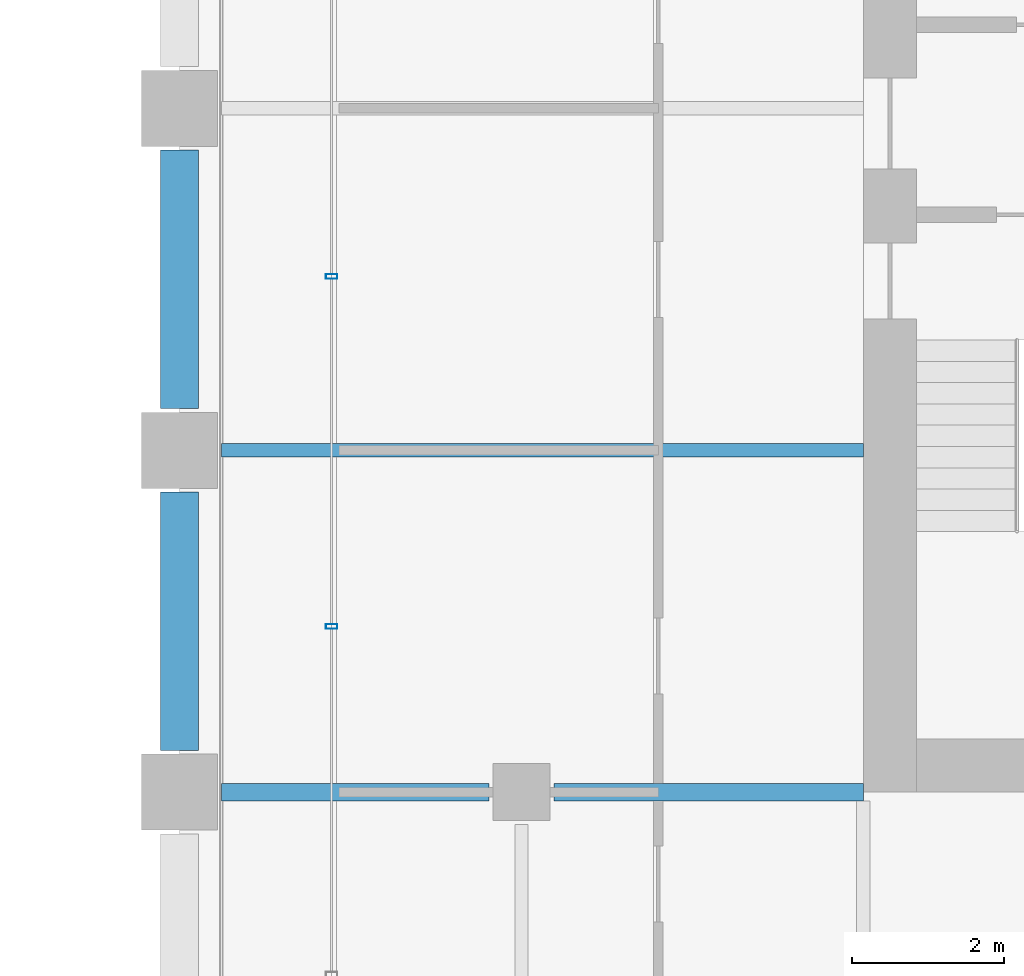
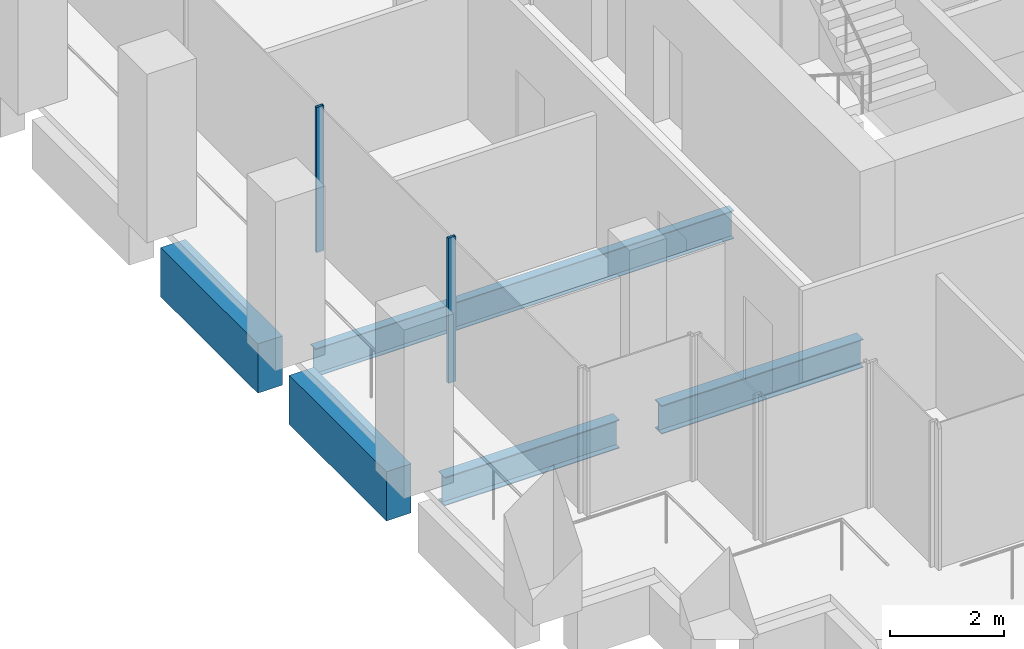
# One storey, part 32 of 52: 5 beams, 2 members, 1 element without a shape of its own.
"""IFC4 building model written with IfcOpenShell, lengths in metres."""

import ifcopenshell
import ifcopenshell.guid

model = None  # the IFC model being written
_history = None  # IfcOwnerHistory: only IFC2X3 demands one
_inside = {}  # id of a spatial element -> (the spatial element, [elements in it])
_under = {}  # id of a project, library or spatial element -> (it, [spatial elements below it])
_declared = {}  # id of a project -> (the project, [libraries it declares])
_typed = {}  # id of a type object -> (the type object, [elements of that type])
_made_of = {}  # id of a material, layer set ... -> (it, [elements and type objects made of it])


def new_model(schema):
    """Start an empty IFC model of exactly this schema.

    Asked for "IFC4X3", IfcOpenShell would pick the latest addendum, in which some entities
    have other attributes; the version numbers below select the first issue.
    IFC2X3 requires an IfcOwnerHistory on every rooted entity: one is made here for all.
    """
    global model, _history
    if schema == "IFC4X3":
        model = ifcopenshell.file(schema_version=(4, 3, 0, 0))
    else:
        model = ifcopenshell.file(schema=schema)
    _inside.clear()
    _under.clear()
    _declared.clear()
    _typed.clear()
    _made_of.clear()
    _history = None
    if model.schema == "IFC2X3":
        org = make("IfcOrganization", Name="unknown")
        user = make(
            "IfcPersonAndOrganization",
            ThePerson=make("IfcPerson", FamilyName="unknown"),
            TheOrganization=org,
        )
        app = make(
            "IfcApplication",
            ApplicationDeveloper=org,
            Version="unknown",
            ApplicationFullName="unknown",
            ApplicationIdentifier="unknown",
        )
        _history = make(
            "IfcOwnerHistory",
            OwningUser=user,
            OwningApplication=app,
            ChangeAction="ADDED",
            CreationDate=0,
        )
    return model


def make(cls, **values):
    """One entity of the class cls with the attributes given. An attribute that is None is left unset."""
    return model.create_entity(
        cls, **{name: value for name, value in values.items() if value is not None}
    )


def rooted(cls, **values):
    """An entity with a GlobalId (a new one), such as an element, a storey or a relation."""
    return make(cls, GlobalId=ifcopenshell.guid.new(), OwnerHistory=_history, **values)


def si_unit(unit_type, name, prefix=None):
    """IfcSIUnit, for example si_unit("LENGTHUNIT", "METRE", prefix="MILLI")."""
    return make("IfcSIUnit", UnitType=unit_type, Prefix=prefix, Name=name)


def assignment(units):
    """IfcUnitAssignment: the units of a project."""
    return None if units is None else make("IfcUnitAssignment", Units=units)


def point(xyz):
    """IfcCartesianPoint."""
    return None if xyz is None else make("IfcCartesianPoint", Coordinates=xyz)


def direction(xyz):
    """IfcDirection."""
    return None if xyz is None else make("IfcDirection", DirectionRatios=xyz)


def frame(location, z_axis=None, x_axis=None):
    """IfcAxis2Placement3D, a coordinate frame: its origin and axes. An axis left out is left unset."""
    return make(
        "IfcAxis2Placement3D",
        Location=point(location),
        Axis=direction(z_axis),
        RefDirection=direction(x_axis),
    )


def frame_2d(location, x_axis=None):
    """IfcAxis2Placement2D, a coordinate frame in the plane: its origin and x axis."""
    return make(
        "IfcAxis2Placement2D", Location=point(location), RefDirection=direction(x_axis)
    )


def origin():
    """The frame at (0, 0, 0) with its axes left unset."""
    return frame((0.0, 0.0, 0.0))


def origin_2d():
    """The frame at (0, 0) in the plane with its x axis left unset."""
    return frame_2d((0.0, 0.0))


def place(relative_to, where):
    """IfcLocalPlacement: puts the frame where relative to a parent placement (None: the world)."""
    return make(
        "IfcLocalPlacement", PlacementRelTo=relative_to, RelativePlacement=where
    )


def context(
    kind, dimensions, precision=None, world=None, true_north=None, identifier=None
):
    """IfcGeometricRepresentationContext, for example the 3D "Model" context."""
    return make(
        "IfcGeometricRepresentationContext",
        ContextIdentifier=identifier,
        ContextType=kind,
        CoordinateSpaceDimension=dimensions,
        Precision=precision,
        WorldCoordinateSystem=world,
        TrueNorth=true_north,
    )


def subcontext(parent, identifier, kind, view, scale=None):
    """IfcGeometricRepresentationSubContext, for example "Body" below "Model"."""
    return make(
        "IfcGeometricRepresentationSubContext",
        ContextIdentifier=identifier,
        ContextType=kind,
        ParentContext=parent,
        TargetScale=scale,
        TargetView=view,
    )


def project(units=None, contexts=None):
    """IfcProject with its units and contexts."""
    return rooted(
        "IfcProject",
        Name="project",
        RepresentationContexts=contexts,
        UnitsInContext=assignment(units),
    )


def spatial(cls, under=None, at=None, **own):
    """A site, building, storey or space (cls), placed at a placement, below another one or the project."""
    s = rooted(cls, ObjectPlacement=at, **own)
    if under is not None:
        _under.setdefault(under.id(), (under, []))[1].append(s)
    return s


def profile(cls, at=None, kind="AREA", **sizes):
    """A parametric profile (cls). Its sizes go by their IFC names, for example OverallWidth=200.0."""
    return make(cls, ProfileType=kind, Position=at, **sizes)


def rectangle(**sizes):
    """IfcRectangleProfileDef."""
    return profile("IfcRectangleProfileDef", **sizes)


def hollow_rectangle(**sizes):
    """IfcRectangleHollowProfileDef."""
    return profile("IfcRectangleHollowProfileDef", **sizes)


def i_section(**sizes):
    """IfcIShapeProfileDef."""
    return profile("IfcIShapeProfileDef", **sizes)


def extrude(swept, where, along, depth):
    """IfcExtrudedAreaSolid: the profile swept, set in the frame where, extruded along a direction by depth."""
    return make(
        "IfcExtrudedAreaSolid",
        SweptArea=swept,
        Position=where,
        ExtrudedDirection=direction(along),
        Depth=depth,
    )


def shape(context_of_items, identifier, shape_type, items):
    """IfcShapeRepresentation: the items that make up one representation, for example the "Body"."""
    return make(
        "IfcShapeRepresentation",
        ContextOfItems=context_of_items,
        RepresentationIdentifier=identifier,
        RepresentationType=shape_type,
        Items=items,
    )


def material(Name=None, Category=None):
    """IfcMaterial."""
    return make("IfcMaterial", Name=Name, Category=Category)


def material_profile(
    of_material, cross_section, Name=None, Category=None, Priority=None
):
    """IfcMaterialProfile: a cross section and its material."""
    return make(
        "IfcMaterialProfile",
        Name=Name,
        Material=of_material,
        Profile=cross_section,
        Priority=Priority,
        Category=Category,
    )


def profile_set(profiles, Name=None, composite=None):
    """IfcMaterialProfileSet."""
    return make(
        "IfcMaterialProfileSet",
        Name=Name,
        MaterialProfiles=profiles,
        CompositeProfile=composite,
    )


def made_of(thing, what):
    """Note that an element or type object is made of a material, layer set ...; save() writes the relation."""
    if what is not None:
        _made_of.setdefault(what.id(), (what, []))[1].append(thing)
    return thing


def type_object(cls, material=None, **own):
    """A type object (cls), such as IfcWallType, which elements share."""
    return made_of(rooted(cls, **own), material)


def element(
    cls,
    number,
    at=None,
    inside=None,
    cuts=None,
    type_object=None,
    material=None,
    context=None,
    identifier="Body",
    shape_type=None,
    held_by="IfcProductDefinitionShape",
    body=None,
    shapes=None,
    **own,
):
    """One element of the class cls, such as IfcWall. Its Tag is "e" and its number.

    at: its placement. inside: the storey or other place that contains it. cuts: it is an
    opening in that element (IfcRelVoidsElement). A single representation is given by context,
    identifier, shape_type and body (its items); several are given by shapes. held_by: the class
    of the entity that holds the representations. save() writes the other relations.
    """
    e = rooted(cls, Tag="e%d" % number, ObjectPlacement=at, **own)
    if body is not None:
        shapes = [shape(context, identifier, shape_type, body)]
    if shapes is not None:
        e.Representation = make(held_by, Representations=shapes)
    if inside is not None:
        _inside.setdefault(inside.id(), (inside, []))[1].append(e)
    if cuts is not None:
        rooted(
            "IfcRelVoidsElement", RelatingBuildingElement=cuts, RelatedOpeningElement=e
        )
    if type_object is not None:
        _typed.setdefault(type_object.id(), (type_object, []))[1].append(e)
    return made_of(e, material)


def aggregate(whole, parts):
    """IfcRelAggregates: a whole, such as a stair, and the parts it consists of."""
    return rooted("IfcRelAggregates", RelatingObject=whole, RelatedObjects=parts)


def save(model, path):
    """Write the relations noted so far, then the file.

    IfcRelAggregates (storeys below a building ...), IfcRelContainedInSpatialStructure (elements
    in a storey), IfcRelDefinesByType, IfcRelAssociatesMaterial and IfcRelDeclares: one each for
    every whole, place, type object, material and project.
    """
    for whole, parts in _under.values():
        aggregate(whole, parts)
    for where, things in _inside.values():
        rooted(
            "IfcRelContainedInSpatialStructure",
            RelatedElements=things,
            RelatingStructure=where,
        )
    for kind, things in _typed.values():
        rooted("IfcRelDefinesByType", RelatedObjects=things, RelatingType=kind)
    for what, things in _made_of.values():
        rooted("IfcRelAssociatesMaterial", RelatedObjects=things, RelatingMaterial=what)
    for by, libraries in _declared.values():
        rooted("IfcRelDeclares", RelatingContext=by, RelatedDefinitions=libraries)
    model.write(path)


model = new_model("IFC4")

# Units and contexts
model_context = context("Model", 3, precision=1e-05, world=origin(), true_north=direction((0.0, 1.0)))
body_context = subcontext(model_context, "Body", "Model", "MODEL_VIEW")
ifc_project = project(units=[si_unit("LENGTHUNIT", "METRE"), si_unit("AREAUNIT", "SQUARE_METRE"), si_unit("VOLUMEUNIT", "CUBIC_METRE"), si_unit("PLANEANGLEUNIT", "RADIAN"), si_unit("MASSUNIT", "GRAM", prefix="KILO")], contexts=[model_context])

# Site, building, storey
site_placement = place(None, origin())
site = spatial("IfcSite", under=ifc_project, at=site_placement, CompositionType="ELEMENT")
building_placement = place(site_placement, origin())
building = spatial("IfcBuilding", under=site, at=building_placement, Name="Altepetl Exchange Towers", CompositionType="ELEMENT")
storey_placement = place(building_placement, frame((0.0, 0.0, 92.0)))
storey = spatial("IfcBuildingStorey", under=building, at=storey_placement, Name="L22", CompositionType="ELEMENT", Elevation=92.0)

# Beams
ifc_material_1 = material(Name="Steel S355", Category="steel")
ifc_material_profile_1 = material_profile(ifc_material_1, i_section(OverallWidth=0.177978515625, OverallDepth=0.59912109375, WebThickness=0.010009765625, FlangeThickness=0.0126953125, at=origin_2d()), Name="W24X55")
ifc_profile_set_1 = profile_set([ifc_material_profile_1], Name="Steel S355")
beam_type_1 = type_object("IfcBeamType", Name="Floor beam W24X55", PredefinedType="BEAM", material=ifc_profile_set_1)
beam_1_placement = place(storey_placement, frame((95.050048828125, 40.5, -0.449462890625), z_axis=(1.0, 0.0, 0.0), x_axis=(0.0, 1.0, 0.0)))
element("IfcBeam", 1, at=beam_1_placement, inside=storey, type_object=beam_type_1, Name="bm:B:L22:008", PredefinedType="BEAM", context=body_context, shape_type="SweptSolid", body=[
    extrude(i_section(OverallWidth=0.177978515625, OverallDepth=0.59912109375, WebThickness=0.010009765625, FlangeThickness=0.0126953125, at=origin_2d()), origin(), (0.0, 0.0, 1.0), 8.449951171875),
])
ifc_material_profile_2 = material_profile(ifc_material_1, i_section(OverallWidth=0.22802734375, OverallDepth=0.60791015625, WebThickness=0.01123046875, FlangeThickness=0.017333984375, at=origin_2d()), Name="W24X76")
ifc_profile_set_2 = profile_set([ifc_material_profile_2], Name="Steel S355")
beam_type_2 = type_object("IfcBeamType", Name="Girder W24X76", PredefinedType="BEAM", material=ifc_profile_set_2)
beam_2_placement = place(storey_placement, frame((103.5, 36.0, -0.4541015625), z_axis=(-1.0, 0.0, 0.0), x_axis=(0.0, -1.0, 0.0)))
element("IfcBeam", 2, at=beam_2_placement, inside=storey, type_object=beam_type_2, Name="gd:B:L22:002", PredefinedType="BEAM", context=body_context, shape_type="SweptSolid", body=[
    extrude(i_section(OverallWidth=0.22802734375, OverallDepth=0.60791015625, WebThickness=0.01123046875, FlangeThickness=0.017333984375, at=origin_2d()), origin(), (0.0, 0.0, 1.0), 4.074951171875),
])
beam_3_placement = place(storey_placement, frame((98.574951171875, 36.0, -0.4541015625), z_axis=(-1.0, 0.0, 0.0), x_axis=(0.0, -1.0, 0.0)))
element("IfcBeam", 3, at=beam_3_placement, inside=storey, type_object=beam_type_2, Name="gd:B:L22:003", PredefinedType="BEAM", context=body_context, shape_type="SweptSolid", body=[
    extrude(i_section(OverallWidth=0.22802734375, OverallDepth=0.60791015625, WebThickness=0.01123046875, FlangeThickness=0.017333984375, at=origin_2d()), origin(), (0.0, 0.0, 1.0), 3.52490234375),
])

# Curtain wall, members
ifc_material_2 = material(Name="Aluminium 6063-T6 glazing", Category="aluminium")
curtain_wall_type = type_object("IfcCurtainWallType", Name="Loggia glazing system", PredefinedType="NOTDEFINED", material=ifc_material_2)
curtain_wall_placement = place(storey_placement, origin())
curtain_wall = element("IfcCurtainWall", 4, at=curtain_wall_placement, inside=storey, type_object=curtain_wall_type, Name="CW1 run", PredefinedType="NOTDEFINED")
ifc_material_3 = material(Name="Aluminium 6063-T6", Category="aluminium")
ifc_material_profile_3 = material_profile(ifc_material_3, hollow_rectangle(XDim=0.06005859375, YDim=0.14990234375, WallThickness=0.0029296875, at=origin_2d()), Name="Mullion 60x150 aluminium")
ifc_profile_set_3 = profile_set([ifc_material_profile_3], Name="Aluminium 6063-T6")
member_type = type_object("IfcMemberType", Name="Mullion 60x150 aluminium", PredefinedType="MULLION", material=ifc_profile_set_3)
member_1_placement = place(storey_placement, frame((96.5, 42.78759765625, 0.0), z_axis=(0.0, 0.0, 1.0), x_axis=(0.0, -1.0, 0.0)))
member_1 = element("IfcMember", 5, at=member_1_placement, type_object=member_type, Name="MU1 mullion", PredefinedType="MULLION", context=body_context, shape_type="SweptSolid", body=[
    extrude(hollow_rectangle(XDim=0.06005859375, YDim=0.14990234375, WallThickness=0.0029296875, at=origin_2d()), origin(), (0.0, 0.0, 1.0), 3.10009765625),
])
member_2_placement = place(storey_placement, frame((96.5, 38.18115234375, 0.0), z_axis=(0.0, 0.0, 1.0), x_axis=(0.0, -1.0, 0.0)))
member_2 = element("IfcMember", 6, at=member_2_placement, type_object=member_type, Name="MU1 mullion", PredefinedType="MULLION", context=body_context, shape_type="SweptSolid", body=[
    extrude(hollow_rectangle(XDim=0.06005859375, YDim=0.14990234375, WallThickness=0.0029296875, at=origin_2d()), origin(), (0.0, 0.0, 1.0), 3.10009765625),
])
aggregate(curtain_wall, [member_1, member_2])

# Beams
ifc_material_4 = material(Name="Concrete C50/60 precast with cantera rosa facing", Category="concrete")
ifc_material_profile_4 = material_profile(ifc_material_4, rectangle(XDim=0.5, YDim=1.050048828125, at=origin_2d()), Name="500 x 1050")
ifc_profile_set_4 = profile_set([ifc_material_profile_4], Name="Concrete C50/60 precast with cantera rosa facing")
beam_type_3 = type_object("IfcBeamType", Name="Spandrel beam 500x1050 cantera rosa", PredefinedType="SPANDREL", material=ifc_profile_set_4)
for number, where, z_axis, x_axis, name in (
    (7, (94.5, 44.449951171875, -0.675048828125), (0.0, -1.0, 0.0), (1.0, 0.0, 0.0), "sp:B:L22:024"),
    (8, (94.5, 39.949951171875, -0.675048828125), (0.0, -1.0, 0.0), (1.0, 0.0, 0.0), "sp:B:L22:025"),
):
    element("IfcBeam", number, at=place(storey_placement, frame(where, z_axis=z_axis, x_axis=x_axis)), inside=storey, type_object=beam_type_3, Name=name, PredefinedType="SPANDREL", context=body_context, shape_type="SweptSolid", body=[
        extrude(rectangle(XDim=0.5, YDim=1.050048828125, at=origin_2d()), origin(), (0.0, 0.0, 1.0), 3.39990234375),
    ])

save(model, "model.ifc")
